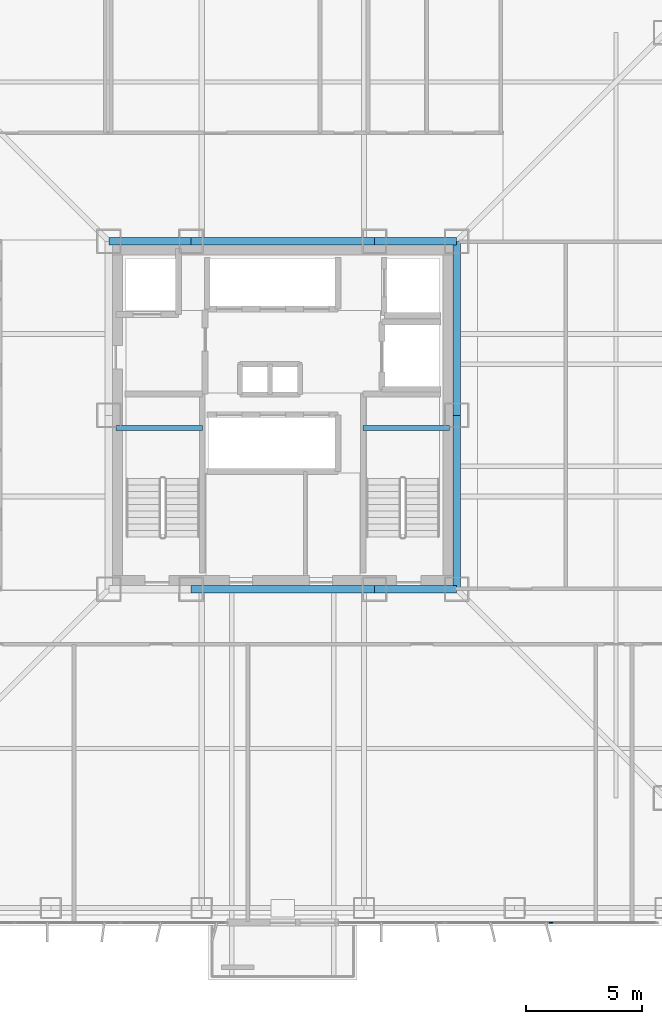
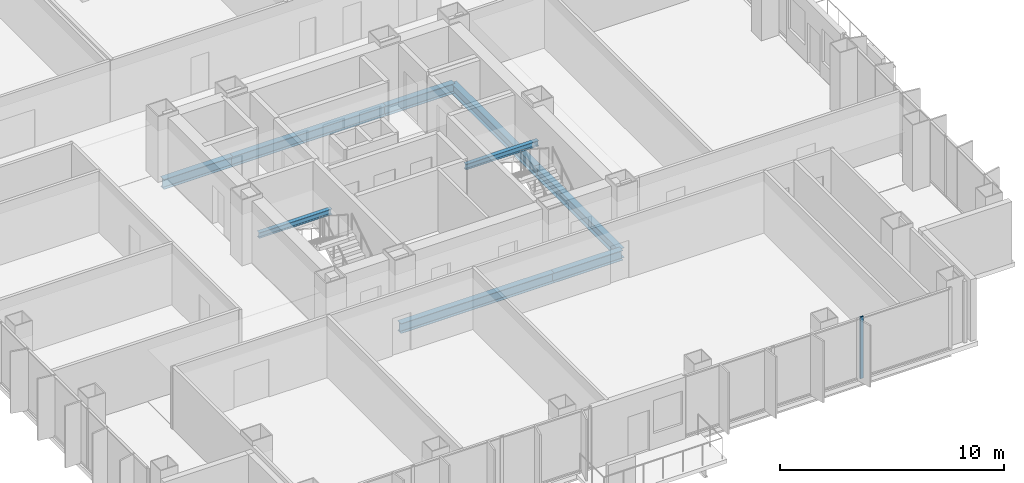
# One storey, part 6 of 18: 9 beams, 1 member, 1 element without a shape of its own.
"""IFC4 building model written with IfcOpenShell, lengths in metres."""

from ifc_helpers import new_model, si_unit, direction, frame, origin, origin_2d, place, context, subcontext, project, spatial, rectangle, i_section, extrude, material, layer, layer_set, material_profile, profile_set, type_object, element, aggregate, save


model = new_model("IFC4")

# Units and contexts
model_context = context("Model", 3, precision=1e-05, world=origin(), true_north=direction((0.0, 1.0)))
body_context = subcontext(model_context, "Body", "Model", "MODEL_VIEW")
ifc_project = project(units=[si_unit("LENGTHUNIT", "METRE"), si_unit("AREAUNIT", "SQUARE_METRE"), si_unit("VOLUMEUNIT", "CUBIC_METRE"), si_unit("PLANEANGLEUNIT", "RADIAN"), si_unit("MASSUNIT", "GRAM", prefix="KILO")], contexts=[model_context])

# Site, building, storey
site_placement = place(None, origin())
site = spatial("IfcSite", under=ifc_project, at=site_placement, CompositionType="ELEMENT")
building_placement = place(site_placement, origin())
building = spatial("IfcBuilding", under=site, at=building_placement, Name="Trevonay Congress Spire", CompositionType="ELEMENT")
storey_placement = place(building_placement, frame((0.0, 0.0, 104.800048828125)))
storey = spatial("IfcBuildingStorey", under=building, at=storey_placement, Name="L26", CompositionType="ELEMENT", Elevation=104.800048828125)

# Beams
ifc_material_1 = material(Name="Steel ASTM A572 Grade 50", Category="steel")
ifc_material_profile_1 = material_profile(ifc_material_1, i_section(OverallWidth=0.31201171875, OverallDepth=0.54296875, WebThickness=0.0126953125, FlangeThickness=0.020263671875, FilletRadius=0.014892578125, at=origin_2d()), Name="W530x150")
ifc_profile_set_1 = profile_set([ifc_material_profile_1], Name="Steel ASTM A572 Grade 50")
beam_type_1 = type_object("IfcBeamType", Name="BM-GIRD-W530X150", PredefinedType="BEAM", material=ifc_profile_set_1)
beam_1_placement = place(storey_placement, frame((-3.949951171875, -7.5, -0.511474609375), z_axis=(1.0, 0.0, 0.0), x_axis=(0.0, 1.0, 0.0)))
element("IfcBeam", 1, at=beam_1_placement, inside=storey, type_object=beam_type_1, Name="L26 structural beam BM-L26-CR-S2", PredefinedType="BEAM", context=body_context, shape_type="SweptSolid", body=[
    extrude(i_section(OverallWidth=0.31201171875, OverallDepth=0.54296875, WebThickness=0.0126953125, FlangeThickness=0.020263671875, FilletRadius=0.014892578125, at=origin_2d()), origin(), (0.0, 0.0, 1.0), 7.89990234375),
])
for number, where, z_axis, x_axis, name in (
    (2, (3.949951171875, -7.5, -0.511474609375), (1.0, 0.0, 0.0), (0.0, 1.0, 0.0), "L26 structural beam BM-L26-CR-S3"),
    (3, (-7.5, 7.5, -0.511474609375), (1.0, 0.0, 0.0), (0.0, 1.0, 0.0), "L26 structural beam BM-L26-CR-N1"),
):
    element("IfcBeam", number, at=place(storey_placement, frame(where, z_axis=z_axis, x_axis=x_axis)), inside=storey, type_object=beam_type_1, Name=name, PredefinedType="BEAM", context=body_context, shape_type="SweptSolid", body=[
        extrude(i_section(OverallWidth=0.31201171875, OverallDepth=0.54296875, WebThickness=0.0126953125, FlangeThickness=0.020263671875, FilletRadius=0.014892578125, at=origin_2d()), origin(), (0.0, 0.0, 1.0), 3.550048828125),
    ])
beam_2_placement = place(storey_placement, frame((-3.949951171875, 7.5, -0.511474609375), z_axis=(1.0, 0.0, 0.0), x_axis=(0.0, 1.0, 0.0)))
element("IfcBeam", 4, at=beam_2_placement, inside=storey, type_object=beam_type_1, Name="L26 structural beam BM-L26-CR-N2", PredefinedType="BEAM", context=body_context, shape_type="SweptSolid", body=[
    extrude(i_section(OverallWidth=0.31201171875, OverallDepth=0.54296875, WebThickness=0.0126953125, FlangeThickness=0.020263671875, FilletRadius=0.014892578125, at=origin_2d()), origin(), (0.0, 0.0, 1.0), 7.89990234375),
])
beam_3_placement = place(storey_placement, frame((3.949951171875, 7.5, -0.511474609375), z_axis=(1.0, 0.0, 0.0), x_axis=(0.0, 1.0, 0.0)))
element("IfcBeam", 5, at=beam_3_placement, inside=storey, type_object=beam_type_1, Name="L26 structural beam BM-L26-CR-N3", PredefinedType="BEAM", context=body_context, shape_type="SweptSolid", body=[
    extrude(i_section(OverallWidth=0.31201171875, OverallDepth=0.54296875, WebThickness=0.0126953125, FlangeThickness=0.020263671875, FilletRadius=0.014892578125, at=origin_2d()), origin(), (0.0, 0.0, 1.0), 3.550048828125),
])
for number, where, z_axis, x_axis, name in (
    (6, (7.5, -7.5, -0.511474609375), (0.0, 1.0, 0.0), (-1.0, 0.0, 0.0), "L26 structural beam BM-L26-CR-E1"),
    (7, (7.5, 0.0, -0.511474609375), (0.0, 1.0, 0.0), (-1.0, 0.0, 0.0), "L26 structural beam BM-L26-CR-E2"),
):
    element("IfcBeam", number, at=place(storey_placement, frame(where, z_axis=z_axis, x_axis=x_axis)), inside=storey, type_object=beam_type_1, Name=name, PredefinedType="BEAM", context=body_context, shape_type="SweptSolid", body=[
        extrude(i_section(OverallWidth=0.31201171875, OverallDepth=0.54296875, WebThickness=0.0126953125, FlangeThickness=0.020263671875, FilletRadius=0.014892578125, at=origin_2d()), origin(), (0.0, 0.0, 1.0), 7.5),
    ])

# Curtain wall, member
ifc_material_2 = material(Name="Pale Anodised Aluminium EN AW-6063-T6", Category="aluminium")
ifc_layer = layer(ifc_material_2, 0.175048828125, Name="Pale Anodised Aluminium EN AW-6063-T6")
ifc_layer_set = layer_set([ifc_layer], Name="Pale Anodised Aluminium EN AW-6063-T6")
curtain_wall_type = type_object("IfcCurtainWallType", Name="CW-SYS03-CONGRESS-PALE-METAL", PredefinedType="NOTDEFINED", material=ifc_layer_set)
curtain_wall_placement = place(storey_placement, origin())
curtain_wall = element("IfcCurtainWall", 8, at=curtain_wall_placement, inside=storey, type_object=curtain_wall_type, Name="L26 SB unitised curtain wall", PredefinedType="NOTDEFINED")
ifc_material_profile_2 = material_profile(ifc_material_2, rectangle(XDim=0.06005859375, YDim=0.159912109375, at=origin_2d()), Name="CW-MULLION-160-ALUMINIUM")
ifc_profile_set_2 = profile_set([ifc_material_profile_2], Name="Pale Anodised Aluminium EN AW-6063-T6")
member_type = type_object("IfcMemberType", Name="CW-MULLION-160-ALUMINIUM", PredefinedType="MULLION", material=ifc_profile_set_2)
member_placement = place(storey_placement, frame((11.566650390625, -21.8798828125, 0.0), z_axis=(0.0, 0.0, 1.0), x_axis=(0.0, 1.0, 0.0)))
member = element("IfcMember", 9, at=member_placement, type_object=member_type, Name="CW03 mullion 3", PredefinedType="MULLION", context=body_context, shape_type="SweptSolid", body=[
    extrude(rectangle(XDim=0.06005859375, YDim=0.159912109375, at=origin_2d()), origin(), (0.0, 0.0, 1.0), 3.35986328125),
])
aggregate(curtain_wall, [member])

# Beams
ifc_material_profile_3 = material_profile(ifc_material_1, i_section(OverallWidth=0.2041015625, OverallDepth=0.305908203125, WebThickness=0.008544921875, FlangeThickness=0.0146484375, FilletRadius=0.010986328125, at=origin_2d()), Name="W310x67")
ifc_profile_set_3 = profile_set([ifc_material_profile_3], Name="Steel ASTM A572 Grade 50")
beam_type_2 = type_object("IfcBeamType", Name="LN-CORE-W310X67", PredefinedType="LINTEL", material=ifc_profile_set_3)
for number, where, z_axis, x_axis, name in (
    (10, (-7.199951171875, -0.550048828125, 1.447021484375), (1.0, 0.0, 0.0), (0.0, 1.0, 0.0), "L26 structural beam BM-L26-HL-ST1"),
    (11, (3.449951171875, -0.550048828125, 1.447021484375), (1.0, 0.0, 0.0), (0.0, 1.0, 0.0), "L26 structural beam BM-L26-HL-ST2"),
):
    element("IfcBeam", number, at=place(storey_placement, frame(where, z_axis=z_axis, x_axis=x_axis)), inside=storey, type_object=beam_type_2, Name=name, PredefinedType="LINTEL", context=body_context, shape_type="SweptSolid", body=[
        extrude(i_section(OverallWidth=0.2041015625, OverallDepth=0.305908203125, WebThickness=0.008544921875, FlangeThickness=0.0146484375, FilletRadius=0.010986328125, at=origin_2d()), origin(), (0.0, 0.0, 1.0), 3.75),
    ])

save(model, "model.ifc")
